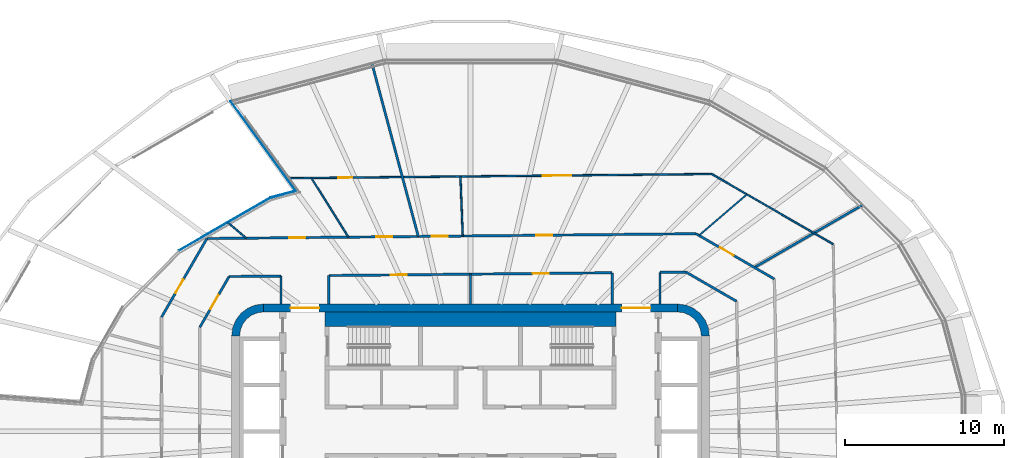
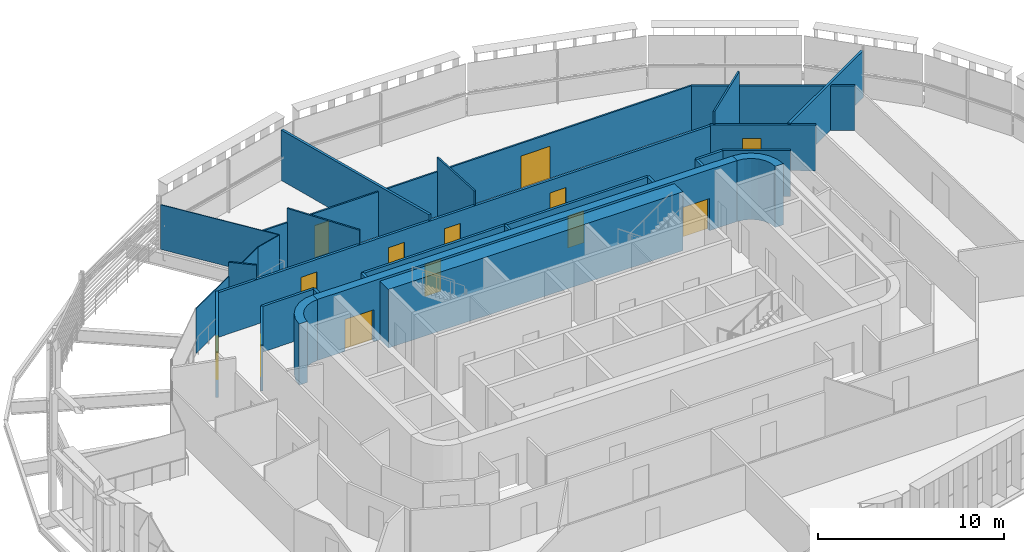
# One storey, part 14 of 22: 28 walls, 13 doors, 13 openings.
"""IFC4 building model written with IfcOpenShell, lengths in metres."""

from ifc_helpers import new_model, si_unit, direction, frame, frame_2d, origin, place, context, subcontext, project, spatial, polyline, rectangle, outline, extrude, material, layer, layer_set, type_object, element, fill, save


model = new_model("IFC4")

# Units and contexts
model_context = context("Model", 3, precision=1e-05, world=origin(), true_north=direction((0.0, 1.0)))
body_context = subcontext(model_context, "Body", "Model", "MODEL_VIEW")
ifc_project = project(units=[si_unit("LENGTHUNIT", "METRE"), si_unit("AREAUNIT", "SQUARE_METRE"), si_unit("VOLUMEUNIT", "CUBIC_METRE"), si_unit("PLANEANGLEUNIT", "RADIAN"), si_unit("MASSUNIT", "GRAM", prefix="KILO")], contexts=[model_context])

# Site, building, storey
site_placement = place(None, origin())
site = spatial("IfcSite", under=ifc_project, at=site_placement, CompositionType="ELEMENT")
building_placement = place(site_placement, origin())
building = spatial("IfcBuilding", under=site, at=building_placement, Name="Sahrelin Media Tower", CompositionType="ELEMENT")
storey_placement = place(building_placement, frame((0.0, 0.0, 177.60009765625)))
storey = spatial("IfcBuildingStorey", under=building, at=storey_placement, Name="L37", CompositionType="ELEMENT", Elevation=177.60009765625)

# Wall, openings, doors
ifc_material_1 = material(Name="Concrete C60/75", Category="concrete")
ifc_layer_1 = layer(ifc_material_1, 0.5)
ifc_layer_set_1 = layer_set([ifc_layer_1], Name="Core wall 500")
wall_type_1 = type_object("IfcWallType", Name="Core wall 500", PredefinedType="SHEAR", material=ifc_layer_set_1)
wall_1_placement = place(storey_placement, frame((-13.0, 7.75, 0.0), z_axis=(0.0, 0.0, 1.0), x_axis=(1.0, 0.0, 0.0)))
wall_1 = element("IfcWall", 1, at=wall_1_placement, inside=storey, type_object=wall_type_1, Name="Core wall N L37", PredefinedType="SHEAR", context=body_context, shape_type="SweptSolid", body=[
    extrude(rectangle(XDim=26.0, YDim=0.5, at=frame_2d((13.0, 0.0))), origin(), (0.0, 0.0, 1.0), 4.0),
])
opening_1_placement = place(wall_1_placement, frame((1.699951171875, 0.0, 0.0)))
opening_1 = element("IfcOpeningElement", 2, at=opening_1_placement, cuts=wall_1, Name="Opening L37-D16", PredefinedType="OPENING", context=body_context, shape_type="SweptSolid", body=[
    extrude(rectangle(XDim=1.800048828125, YDim=2.10009765625, at=frame_2d((0.89990234375, 1.050048828125))), frame((0.0, 0.25, 0.0), z_axis=(0.0, -1.0, 0.0), x_axis=(1.0, 0.0, 0.0)), (0.0, 0.0, 1.0), 0.5),
])
opening_2_placement = place(wall_1_placement, frame((22.5, 0.0, 0.0)))
opening_2 = element("IfcOpeningElement", 3, at=opening_2_placement, cuts=wall_1, Name="Opening L37-D17", PredefinedType="OPENING", context=body_context, shape_type="SweptSolid", body=[
    extrude(rectangle(XDim=1.800048828125, YDim=2.10009765625, at=frame_2d((0.89990234375, 1.050048828125))), frame((0.0, 0.25, 0.0), z_axis=(0.0, -1.0, 0.0), x_axis=(1.0, 0.0, 0.0)), (0.0, 0.0, 1.0), 0.5),
])
ifc_material_2 = material(Name="Steel fire door leaf", Category="steel")
door_type_1 = type_object("IfcDoorType", Name="Lobby double door 1800 x 2100 EI 60", OperationType="DOUBLE_DOOR_SINGLE_SWING", PredefinedType="DOOR", material=ifc_material_2)
door_1_placement = place(opening_1_placement, origin())
door_1 = element("IfcDoor", 4, at=door_1_placement, inside=storey, type_object=door_type_1, Name="Lobby door", OperationType="DOUBLE_DOOR_SINGLE_SWING", OverallHeight=2.10009765625, OverallWidth=1.800048828125, PredefinedType="DOOR", context=body_context, shape_type="SweptSolid", body=[
    extrude(rectangle(XDim=1.800048828125, YDim=2.10009765625, at=frame_2d((0.89990234375, 1.050048828125))), frame((0.0, 0.02490234375, 0.0), z_axis=(0.0, -1.0, 0.0), x_axis=(1.0, 0.0, 0.0)), (0.0, 0.0, 1.0), 0.050048828125),
])
fill(opening_1, door_1)
door_2_placement = place(opening_2_placement, origin())
door_2 = element("IfcDoor", 5, at=door_2_placement, inside=storey, type_object=door_type_1, Name="Lobby door", OperationType="DOUBLE_DOOR_SINGLE_SWING", OverallHeight=2.10009765625, OverallWidth=1.800048828125, PredefinedType="DOOR", context=body_context, shape_type="SweptSolid", body=[
    extrude(rectangle(XDim=1.800048828125, YDim=2.10009765625, at=frame_2d((0.89990234375, 1.050048828125))), frame((0.0, 0.02490234375, 0.0), z_axis=(0.0, -1.0, 0.0), x_axis=(1.0, 0.0, 0.0)), (0.0, 0.0, 1.0), 0.050048828125),
])
fill(opening_2, door_2)

# Walls
placement = place(storey_placement, origin())
element("IfcWall", 6, at=placement, inside=storey, type_object=wall_type_1, Name="Core wall corner NE L37", PredefinedType="SHEAR", context=body_context, shape_type="SweptSolid", body=[
    extrude(outline(polyline([(13.0, 8.0), (13.0, 7.49560546875), (13.38720703125, 7.44482421875), (13.747802734375, 7.29541015625), (14.0576171875, 7.0576171875), (14.29541015625, 6.747802734375), (14.44482421875, 6.38720703125), (14.49560546875, 6.0), (15.0, 6.0), (14.931884765625, 6.517578125), (14.732177734375, 7.0), (14.414306640625, 7.414306640625), (14.0, 7.732177734375), (13.517578125, 7.931884765625), (13.0, 8.0)])), origin(), (0.0, 0.0, 1.0), 4.0),
])
element("IfcWall", 7, at=placement, inside=storey, type_object=wall_type_1, Name="Core wall corner NW L37", PredefinedType="SHEAR", context=body_context, shape_type="SweptSolid", body=[
    extrude(outline(polyline([(-15.0, 6.0), (-14.49560546875, 6.0), (-14.44482421875, 6.38720703125), (-14.29541015625, 6.747802734375), (-14.0576171875, 7.0576171875), (-13.747802734375, 7.29541015625), (-13.38720703125, 7.44482421875), (-13.0, 7.49560546875), (-13.0, 8.0), (-13.517578125, 7.931884765625), (-14.0, 7.732177734375), (-14.414306640625, 7.414306640625), (-14.732177734375, 7.0), (-14.931884765625, 6.517578125), (-15.0, 6.0)])), origin(), (0.0, 0.0, 1.0), 4.0),
])
ifc_material_3 = material(Name="Fire-rated gypsum board partition")
ifc_layer_2 = layer(ifc_material_3, 0.14990234375)
ifc_layer_set_2 = layer_set([ifc_layer_2], Name="Fire-rated partition 150")
wall_type_2 = type_object("IfcWallType", Name="Fire-rated partition 150", PredefinedType="PARTITIONING", material=ifc_layer_set_2)
wall_4_placement = place(storey_placement, frame((-6.19189453125, 23.10791015625, 0.0), z_axis=(0.0, 0.0, 1.0), x_axis=(0.258761752607, -0.965941175946, 0.0)))
element("IfcWall", 8, at=wall_4_placement, inside=storey, type_object=wall_type_2, Name="Wall", PredefinedType="PARTITIONING", context=body_context, shape_type="SweptSolid", body=[
    extrude(rectangle(XDim=11.252197265625, YDim=0.14990234375, at=frame_2d((5.6259765625, 0.0))), origin(), (0.0, 0.0, 1.0), 3.301513671875),
])
wall_5_placement = place(storey_placement, frame((13.527099609375, 10.0048828125, 0.0), z_axis=(0.0, 0.0, 1.0), x_axis=(0.865856755607, -0.50029199351, 0.0)))
element("IfcWall", 9, at=wall_5_placement, inside=storey, type_object=wall_type_2, Name="Wall", PredefinedType="PARTITIONING", context=body_context, shape_type="SweptSolid", body=[
    extrude(rectangle(XDim=3.673095703125, YDim=0.14990234375, at=frame_2d((1.83642578125, 0.0))), origin(), (0.0, 0.0, 1.0), 2.994873046875),
])

# Wall, opening, door
wall_6_placement = place(storey_placement, frame((14.158935546875, 12.412109375, 0.0), z_axis=(0.0, 0.0, 1.0), x_axis=(0.865837777906, -0.500324836831, 0.0)))
wall_6 = element("IfcWall", 10, at=wall_6_placement, inside=storey, type_object=wall_type_2, Name="Wall", PredefinedType="PARTITIONING", context=body_context, shape_type="SweptSolid", body=[
    extrude(rectangle(XDim=5.682861328125, YDim=0.14990234375, at=frame_2d((2.84130859375, 0.0))), origin(), (0.0, 0.0, 1.0), 2.994873046875),
])
opening_3_placement = place(wall_6_placement, frame((1.7333984375, 0.0, 0.0)))
opening_3 = element("IfcOpeningElement", 11, at=opening_3_placement, cuts=wall_6, Name="Opening L37-D35", PredefinedType="OPENING", context=body_context, shape_type="SweptSolid", body=[
    extrude(rectangle(XDim=1.0, YDim=2.10009765625, at=frame_2d((0.5, 1.050048828125))), frame((0.0, 0.074951171875, 0.0), z_axis=(0.0, -1.0, 0.0), x_axis=(1.0, 0.0, 0.0)), (0.0, 0.0, 1.0), 0.14990234375),
])
door_type_2 = type_object("IfcDoorType", Name="Fire door 1000 x 2100 EI 60", OperationType="NOTDEFINED", PredefinedType="DOOR", material=ifc_material_2)
door_3_placement = place(opening_3_placement, origin())
door_3 = element("IfcDoor", 12, at=door_3_placement, inside=storey, type_object=door_type_2, Name="Fire door", OperationType="SINGLE_SWING_RIGHT", OverallHeight=2.10009765625, OverallWidth=1.0, PredefinedType="DOOR", context=body_context, shape_type="SweptSolid", body=[
    extrude(rectangle(XDim=1.0, YDim=2.10009765625, at=frame_2d((0.5, 1.050048828125))), frame((0.0, 0.02490234375, 0.0), z_axis=(0.0, -1.0, 0.0), x_axis=(1.0, 0.0, 0.0)), (0.0, 0.0, 1.0), 0.050048828125),
])
fill(opening_3, door_3)

# Wall
wall_7_placement = place(storey_placement, frame((-15.160888671875, 9.720947265625, 0.0), z_axis=(0.0, 0.0, 1.0), x_axis=(0.999950429518, 0.009956832157, 0.0)))
element("IfcWall", 13, at=wall_7_placement, inside=storey, type_object=wall_type_2, Name="Wall", PredefinedType="PARTITIONING", context=body_context, shape_type="SweptSolid", body=[
    extrude(rectangle(XDim=3.26123046875, YDim=0.14990234375, at=frame_2d((1.630615234375, 0.0))), origin(), (0.0, 0.0, 1.0), 2.994873046875),
])

# Wall, openings, doors
wall_8_placement = place(storey_placement, frame((-8.89990234375, 9.782958984375, 0.0), z_axis=(0.0, 0.0, 1.0), x_axis=(0.999950969978, 0.009902405776, 0.0)))
wall_8 = element("IfcWall", 14, at=wall_8_placement, inside=storey, type_object=wall_type_2, Name="Wall", PredefinedType="PARTITIONING", context=body_context, shape_type="SweptSolid", body=[
    extrude(rectangle(XDim=17.80078125, YDim=0.14990234375, at=frame_2d((8.900390625, 0.0))), origin(), (0.0, 0.0, 1.0), 2.927001953125),
])
opening_4_placement = place(wall_8_placement, frame((12.800537109375, 0.0, 0.0)))
opening_4 = element("IfcOpeningElement", 15, at=opening_4_placement, cuts=wall_8, Name="Opening L37-D25", PredefinedType="OPENING", context=body_context, shape_type="SweptSolid", body=[
    extrude(rectangle(XDim=1.0, YDim=2.10009765625, at=frame_2d((0.5, 1.050048828125))), frame((0.0, 0.074951171875, 0.0), z_axis=(0.0, -1.0, 0.0), x_axis=(1.0, 0.0, 0.0)), (0.0, 0.0, 1.0), 0.14990234375),
])
opening_5_placement = place(wall_8_placement, frame((3.899658203125, 0.0, 0.0)))
opening_5 = element("IfcOpeningElement", 16, at=opening_5_placement, cuts=wall_8, Name="Opening L37-D26", PredefinedType="OPENING", context=body_context, shape_type="SweptSolid", body=[
    extrude(rectangle(XDim=1.0, YDim=2.10009765625, at=frame_2d((0.5, 1.050048828125))), frame((0.0, 0.074951171875, 0.0), z_axis=(0.0, -1.0, 0.0), x_axis=(1.0, 0.0, 0.0)), (0.0, 0.0, 1.0), 0.14990234375),
])
door_4_placement = place(opening_4_placement, origin())
door_4 = element("IfcDoor", 17, at=door_4_placement, inside=storey, type_object=door_type_2, Name="Fire door", OperationType="SINGLE_SWING_LEFT", OverallHeight=2.10009765625, OverallWidth=1.0, PredefinedType="DOOR", context=body_context, shape_type="SweptSolid", body=[
    extrude(rectangle(XDim=1.0, YDim=2.10009765625, at=frame_2d((0.5, 1.050048828125))), frame((0.0, 0.02490234375, 0.0), z_axis=(0.0, -1.0, 0.0), x_axis=(1.0, 0.0, 0.0)), (0.0, 0.0, 1.0), 0.050048828125),
])
fill(opening_4, door_4)
door_5_placement = place(opening_5_placement, origin())
door_5 = element("IfcDoor", 18, at=door_5_placement, inside=storey, type_object=door_type_2, Name="Fire door", OperationType="SINGLE_SWING_RIGHT", OverallHeight=2.10009765625, OverallWidth=1.0, PredefinedType="DOOR", context=body_context, shape_type="SweptSolid", body=[
    extrude(rectangle(XDim=1.0, YDim=2.10009765625, at=frame_2d((0.5, 1.050048828125))), frame((0.0, 0.02490234375, 0.0), z_axis=(0.0, -1.0, 0.0), x_axis=(1.0, 0.0, 0.0)), (0.0, 0.0, 1.0), 0.050048828125),
])
fill(opening_5, door_5)

# Wall
wall_9_placement = place(storey_placement, frame((11.89990234375, 9.979736328125, 0.0), z_axis=(0.0, 0.0, 1.0), x_axis=(0.999950974094, 0.009901990141, 0.0)))
element("IfcWall", 19, at=wall_9_placement, inside=storey, type_object=wall_type_2, Name="Wall", PredefinedType="PARTITIONING", context=body_context, shape_type="SweptSolid", body=[
    extrude(rectangle(XDim=1.627197265625, YDim=0.14990234375, at=frame_2d((0.8134765625, 0.0))), origin(), (0.0, 0.0, 1.0), 2.994873046875),
])

# Wall, openings, doors
wall_10_placement = place(storey_placement, frame((-16.554931640625, 12.10693359375, 0.0), z_axis=(0.0, 0.0, 1.0), x_axis=(0.999951034758, 0.009895862121, 0.0)))
wall_10 = element("IfcWall", 20, at=wall_10_placement, inside=storey, type_object=wall_type_2, Name="Wall", PredefinedType="PARTITIONING", context=body_context, shape_type="SweptSolid", body=[
    extrude(rectangle(XDim=30.71533203125, YDim=0.14990234375, at=frame_2d((15.357666015625, 0.0))), origin(), (0.0, 0.0, 1.0), 2.927001953125),
])
opening_6_placement = place(wall_10_placement, frame((20.689208984375, 0.0, 0.0)))
opening_6 = element("IfcOpeningElement", 21, at=opening_6_placement, cuts=wall_10, Name="Opening L37-D36", PredefinedType="OPENING", context=body_context, shape_type="SweptSolid", body=[
    extrude(rectangle(XDim=1.0, YDim=2.10009765625, at=frame_2d((0.5, 1.050048828125))), frame((0.0, 0.074951171875, 0.0), z_axis=(0.0, -1.0, 0.0), x_axis=(1.0, 0.0, 0.0)), (0.0, 0.0, 1.0), 0.14990234375),
])
opening_7_placement = place(wall_10_placement, frame((14.114501953125, 0.0, 0.0)))
opening_7 = element("IfcOpeningElement", 22, at=opening_7_placement, cuts=wall_10, Name="Opening L37-D37", PredefinedType="OPENING", context=body_context, shape_type="SweptSolid", body=[
    extrude(rectangle(XDim=1.0, YDim=2.10009765625, at=frame_2d((0.5, 1.050048828125))), frame((0.0, 0.074951171875, 0.0), z_axis=(0.0, -1.0, 0.0), x_axis=(1.0, 0.0, 0.0)), (0.0, 0.0, 1.0), 0.14990234375),
])
opening_8_placement = place(wall_10_placement, frame((10.6376953125, 0.0, 0.0)))
opening_8 = element("IfcOpeningElement", 23, at=opening_8_placement, cuts=wall_10, Name="Opening L37-D39", PredefinedType="OPENING", context=body_context, shape_type="SweptSolid", body=[
    extrude(rectangle(XDim=1.0, YDim=2.10009765625, at=frame_2d((0.5, 1.050048828125))), frame((0.0, 0.074951171875, 0.0), z_axis=(0.0, -1.0, 0.0), x_axis=(1.0, 0.0, 0.0)), (0.0, 0.0, 1.0), 0.14990234375),
])
opening_9_placement = place(wall_10_placement, frame((5.17578125, 0.0, 0.0)))
opening_9 = element("IfcOpeningElement", 24, at=opening_9_placement, cuts=wall_10, Name="Opening L37-D40", PredefinedType="OPENING", context=body_context, shape_type="SweptSolid", body=[
    extrude(rectangle(XDim=1.0, YDim=2.10009765625, at=frame_2d((0.5, 1.050048828125))), frame((0.0, 0.074951171875, 0.0), z_axis=(0.0, -1.0, 0.0), x_axis=(1.0, 0.0, 0.0)), (0.0, 0.0, 1.0), 0.14990234375),
])
door_6_placement = place(opening_6_placement, origin())
door_6 = element("IfcDoor", 25, at=door_6_placement, inside=storey, type_object=door_type_2, Name="Fire door", OperationType="SINGLE_SWING_LEFT", OverallHeight=2.10009765625, OverallWidth=1.0, PredefinedType="DOOR", context=body_context, shape_type="SweptSolid", body=[
    extrude(rectangle(XDim=1.0, YDim=2.10009765625, at=frame_2d((0.5, 1.050048828125))), frame((0.0, 0.02490234375, 0.0), z_axis=(0.0, -1.0, 0.0), x_axis=(1.0, 0.0, 0.0)), (0.0, 0.0, 1.0), 0.050048828125),
])
fill(opening_6, door_6)
door_7_placement = place(opening_7_placement, origin())
door_7 = element("IfcDoor", 26, at=door_7_placement, inside=storey, type_object=door_type_2, Name="Fire door", OperationType="SINGLE_SWING_RIGHT", OverallHeight=2.10009765625, OverallWidth=1.0, PredefinedType="DOOR", context=body_context, shape_type="SweptSolid", body=[
    extrude(rectangle(XDim=1.0, YDim=2.10009765625, at=frame_2d((0.5, 1.050048828125))), frame((0.0, 0.02490234375, 0.0), z_axis=(0.0, -1.0, 0.0), x_axis=(1.0, 0.0, 0.0)), (0.0, 0.0, 1.0), 0.050048828125),
])
fill(opening_7, door_7)
door_8_placement = place(opening_8_placement, origin())
door_8 = element("IfcDoor", 27, at=door_8_placement, inside=storey, type_object=door_type_2, Name="Fire door", OperationType="SINGLE_SWING_LEFT", OverallHeight=2.10009765625, OverallWidth=1.0, PredefinedType="DOOR", context=body_context, shape_type="SweptSolid", body=[
    extrude(rectangle(XDim=1.0, YDim=2.10009765625, at=frame_2d((0.5, 1.050048828125))), frame((0.0, 0.02490234375, 0.0), z_axis=(0.0, -1.0, 0.0), x_axis=(1.0, 0.0, 0.0)), (0.0, 0.0, 1.0), 0.050048828125),
])
fill(opening_8, door_8)
door_9_placement = place(opening_9_placement, origin())
door_9 = element("IfcDoor", 28, at=door_9_placement, inside=storey, type_object=door_type_2, Name="Fire door", OperationType="SINGLE_SWING_LEFT", OverallHeight=2.10009765625, OverallWidth=1.0, PredefinedType="DOOR", context=body_context, shape_type="SweptSolid", body=[
    extrude(rectangle(XDim=1.0, YDim=2.10009765625, at=frame_2d((0.5, 1.050048828125))), frame((0.0, 0.02490234375, 0.0), z_axis=(0.0, -1.0, 0.0), x_axis=(1.0, 0.0, 0.0)), (0.0, 0.0, 1.0), 0.050048828125),
])
fill(opening_9, door_9)

# Wall
wall_11_placement = place(storey_placement, frame((17.827880859375, 10.29296875, 0.0), z_axis=(0.0, 0.0, 1.0), x_axis=(0.866042869649, 0.499969747014, 0.0)))
element("IfcWall", 29, at=wall_11_placement, inside=storey, type_object=wall_type_2, Name="Wall", PredefinedType="PARTITIONING", context=body_context, shape_type="SweptSolid", body=[
    extrude(rectangle(XDim=7.8623046875, YDim=0.14990234375, at=frame_2d((3.93115234375, 0.0))), origin(), (0.0, 0.0, 1.0), 3.075927734375),
])

# Wall, opening, door
wall_12_placement = place(storey_placement, frame((-17.0, 6.535888671875, 0.0), z_axis=(0.0, 0.0, 1.0), x_axis=(0.499965700209, 0.866045205872, 0.0)))
wall_12 = element("IfcWall", 30, at=wall_12_placement, inside=storey, type_object=wall_type_2, Name="Wall", PredefinedType="PARTITIONING", context=body_context, shape_type="SweptSolid", body=[
    extrude(rectangle(XDim=3.677978515625, YDim=0.14990234375, at=frame_2d((1.8388671875, 0.0))), origin(), (0.0, 0.0, 1.0), 2.994873046875),
])
opening_10_placement = place(wall_12_placement, frame((1.338134765625, 0.0, 0.0)))
opening_10 = element("IfcOpeningElement", 31, at=opening_10_placement, cuts=wall_12, Name="Opening L37-D27", PredefinedType="OPENING", context=body_context, shape_type="SweptSolid", body=[
    extrude(rectangle(XDim=1.0, YDim=2.10009765625, at=frame_2d((0.5, 1.050048828125))), frame((0.0, 0.074951171875, 0.0), z_axis=(0.0, -1.0, 0.0), x_axis=(1.0, 0.0, 0.0)), (0.0, 0.0, 1.0), 0.14990234375),
])
door_10_placement = place(opening_10_placement, origin())
door_10 = element("IfcDoor", 32, at=door_10_placement, inside=storey, type_object=door_type_2, Name="Fire door", OperationType="SINGLE_SWING_RIGHT", OverallHeight=2.10009765625, OverallWidth=1.0, PredefinedType="DOOR", context=body_context, shape_type="SweptSolid", body=[
    extrude(rectangle(XDim=1.0, YDim=2.10009765625, at=frame_2d((0.5, 1.050048828125))), frame((0.0, 0.02490234375, 0.0), z_axis=(0.0, -1.0, 0.0), x_axis=(1.0, 0.0, 0.0)), (0.0, 0.0, 1.0), 0.050048828125),
])
fill(opening_10, door_10)

wall_13_placement = place(storey_placement, frame((-19.39990234375, 7.178955078125, 0.0), z_axis=(0.0, 0.0, 1.0), x_axis=(0.499973768087, 0.866040548257, 0.0)))
wall_13 = element("IfcWall", 33, at=wall_13_placement, inside=storey, type_object=wall_type_2, Name="Wall", PredefinedType="PARTITIONING", context=body_context, shape_type="SweptSolid", body=[
    extrude(rectangle(XDim=5.690185546875, YDim=0.14990234375, at=frame_2d((2.84521484375, 0.0))), origin(), (0.0, 0.0, 1.0), 2.994873046875),
])
opening_11_placement = place(wall_13_placement, frame((1.729736328125, 0.0, 0.0)))
opening_11 = element("IfcOpeningElement", 34, at=opening_11_placement, cuts=wall_13, Name="Opening L37-D41", PredefinedType="OPENING", context=body_context, shape_type="SweptSolid", body=[
    extrude(rectangle(XDim=1.0, YDim=2.10009765625, at=frame_2d((0.5, 1.050048828125))), frame((0.0, 0.074951171875, 0.0), z_axis=(0.0, -1.0, 0.0), x_axis=(1.0, 0.0, 0.0)), (0.0, 0.0, 1.0), 0.14990234375),
])
door_11_placement = place(opening_11_placement, origin())
door_11 = element("IfcDoor", 35, at=door_11_placement, inside=storey, type_object=door_type_2, Name="Fire door", OperationType="SINGLE_SWING_LEFT", OverallHeight=2.10009765625, OverallWidth=1.0, PredefinedType="DOOR", context=body_context, shape_type="SweptSolid", body=[
    extrude(rectangle(XDim=1.0, YDim=2.10009765625, at=frame_2d((0.5, 1.050048828125))), frame((0.0, 0.02490234375, 0.0), z_axis=(0.0, -1.0, 0.0), x_axis=(1.0, 0.0, 0.0)), (0.0, 0.0, 1.0), 0.050048828125),
])
fill(opening_11, door_11)

# Walls
wall_14_placement = place(storey_placement, frame((11.89990234375, 8.0, 0.0), z_axis=(0.0, 0.0, 1.0), x_axis=(0.0, 1.0, 0.0)))
element("IfcWall", 36, at=wall_14_placement, inside=storey, type_object=wall_type_2, Name="Wall", PredefinedType="PARTITIONING", context=body_context, shape_type="SweptSolid", body=[
    extrude(rectangle(XDim=1.97802734375, YDim=0.14990234375, at=frame_2d((0.989013671875, 0.0))), origin(), (0.0, 0.0, 1.0), 2.994873046875),
])
wall_15_placement = place(storey_placement, frame((8.89990234375, 8.0, 0.0), z_axis=(0.0, 0.0, 1.0), x_axis=(0.0, 1.0, 0.0)))
element("IfcWall", 37, at=wall_15_placement, inside=storey, type_object=wall_type_2, Name="Wall", PredefinedType="PARTITIONING", context=body_context, shape_type="SweptSolid", body=[
    extrude(rectangle(XDim=1.958984375, YDim=0.14990234375, at=frame_2d((0.9794921875, 0.0))), origin(), (0.0, 0.0, 1.0), 2.927001953125),
])
wall_16_placement = place(storey_placement, frame((0.0, 8.0, 0.0), z_axis=(0.0, 0.0, 1.0), x_axis=(0.0, 1.0, 0.0)))
element("IfcWall", 38, at=wall_16_placement, inside=storey, type_object=wall_type_2, Name="Wall", PredefinedType="PARTITIONING", context=body_context, shape_type="SweptSolid", body=[
    extrude(rectangle(XDim=1.87109375, YDim=0.14990234375, at=frame_2d((0.935546875, 0.0))), origin(), (0.0, 0.0, 1.0), 2.927001953125),
])
wall_17_placement = place(storey_placement, frame((-8.89990234375, 8.0, 0.0), z_axis=(0.0, 0.0, 1.0), x_axis=(0.0, 1.0, 0.0)))
element("IfcWall", 39, at=wall_17_placement, inside=storey, type_object=wall_type_2, Name="Wall", PredefinedType="PARTITIONING", context=body_context, shape_type="SweptSolid", body=[
    extrude(rectangle(XDim=1.782958984375, YDim=0.14990234375, at=frame_2d((0.8916015625, 0.0))), origin(), (0.0, 0.0, 1.0), 2.927001953125),
])
wall_18_placement = place(storey_placement, frame((-11.89990234375, 8.0, 0.0), z_axis=(0.0, 0.0, 1.0), x_axis=(0.0, 1.0, 0.0)))
element("IfcWall", 40, at=wall_18_placement, inside=storey, type_object=wall_type_2, Name="Wall", PredefinedType="PARTITIONING", context=body_context, shape_type="SweptSolid", body=[
    extrude(rectangle(XDim=1.7529296875, YDim=0.14990234375, at=frame_2d((0.87646484375, 0.0))), origin(), (0.0, 0.0, 1.0), 2.994873046875),
])
ifc_material_4 = material(Name="Clear glass", Category="glass")
ifc_layer_3 = layer(ifc_material_4, 0.050048828125)
ifc_layer_set_3 = layer_set([ifc_layer_3], Name="Glazed partition 50")
wall_type_3 = type_object("IfcWallType", Name="Glazed partition 50", PredefinedType="PARTITIONING", material=ifc_layer_set_3)
wall_19_placement = place(storey_placement, frame((-15.068359375, 20.729736328125, 0.0), z_axis=(0.0, 0.0, 1.0), x_axis=(0.587950705029, -0.808896760073, 0.0)))
element("IfcWall", 41, at=wall_19_placement, inside=storey, type_object=wall_type_3, Name="Wall", PredefinedType="PARTITIONING", context=body_context, shape_type="SweptSolid", body=[
    extrude(rectangle(XDim=6.963623046875, YDim=0.050048828125, at=frame_2d((3.48193359375, 0.0))), origin(), (0.0, 0.0, 1.0), 2.927001953125),
])
wall_20_placement = place(storey_placement, frame((-12.55908203125, 14.673095703125, 0.0), z_axis=(0.0, 0.0, 1.0), x_axis=(0.966056881693, 0.25832944341, 0.0)))
element("IfcWall", 42, at=wall_20_placement, inside=storey, type_object=wall_type_3, Name="Wall", PredefinedType="PARTITIONING", context=body_context, shape_type="SweptSolid", body=[
    extrude(rectangle(XDim=1.640625, YDim=0.050048828125, at=frame_2d((0.8203125, 0.0))), origin(), (0.0, 0.0, 1.0), 2.927001953125),
])
wall_21_placement = place(storey_placement, frame((-18.322998046875, 11.344970703125, 0.0), z_axis=(0.0, 0.0, 1.0), x_axis=(0.866004159061, 0.500036795134, 0.0)))
element("IfcWall", 43, at=wall_21_placement, inside=storey, type_object=wall_type_3, Name="Wall", PredefinedType="PARTITIONING", context=body_context, shape_type="SweptSolid", body=[
    extrude(rectangle(XDim=6.65576171875, YDim=0.050048828125, at=frame_2d((3.327880859375, 0.0))), origin(), (0.0, 0.0, 1.0), 2.927001953125),
])
ifc_material_5 = material(Name="Gypsum board partition")
ifc_layer_4 = layer(ifc_material_5, 0.10009765625)
ifc_layer_set_4 = layer_set([ifc_layer_4], Name="Partition 100")
wall_type_4 = type_object("IfcWallType", Name="Partition 100", PredefinedType="PARTITIONING", material=ifc_layer_set_4)
wall_22_placement = place(storey_placement, frame((-0.635009765625, 16.0048828125, 0.0), z_axis=(0.0, 0.0, 1.0), x_axis=(0.039551001772, -0.999217553018, 0.0)))
element("IfcWall", 44, at=wall_22_placement, inside=storey, type_object=wall_type_4, Name="Wall", PredefinedType="PARTITIONING", context=body_context, shape_type="SweptSolid", body=[
    extrude(rectangle(XDim=3.74072265625, YDim=0.10009765625, at=frame_2d((1.870361328125, 0.0))), origin(), (0.0, 0.0, 1.0), 3.849853515625),
])
wall_23_placement = place(storey_placement, frame((-9.9990234375, 15.912109375, 0.0), z_axis=(0.0, 0.0, 1.0), x_axis=(0.532091818794, -0.846686657727, 0.0)))
element("IfcWall", 45, at=wall_23_placement, inside=storey, type_object=wall_type_4, Name="Wall", PredefinedType="PARTITIONING", context=body_context, shape_type="SweptSolid", body=[
    extrude(rectangle(XDim=4.39013671875, YDim=0.10009765625, at=frame_2d((2.195068359375, 0.0))), origin(), (0.0, 0.0, 1.0), 3.849853515625),
])
wall_24_placement = place(storey_placement, frame((-15.2470703125, 13.12109375, 0.0), z_axis=(0.0, 0.0, 1.0), x_axis=(0.757903577164, -0.65236658998, 0.0)))
element("IfcWall", 46, at=wall_24_placement, inside=storey, type_object=wall_type_4, Name="Wall", PredefinedType="PARTITIONING", context=body_context, shape_type="SweptSolid", body=[
    extrude(rectangle(XDim=1.517578125, YDim=0.10009765625, at=frame_2d((0.7587890625, 0.0))), origin(), (0.0, 0.0, 1.0), 3.849853515625),
])
wall_25_placement = place(storey_placement, frame((15.14404296875, 16.162109375, 0.0), z_axis=(0.0, 0.0, 1.0), x_axis=(0.865929062236, -0.500166831342, 0.0)))
element("IfcWall", 47, at=wall_25_placement, inside=storey, type_object=wall_type_4, Name="Wall", PredefinedType="PARTITIONING", context=body_context, shape_type="SweptSolid", body=[
    extrude(rectangle(XDim=8.8134765625, YDim=0.10009765625, at=frame_2d((4.40673828125, 0.0))), origin(), (0.0, 0.0, 1.0), 2.927001953125),
])

# Wall, openings, doors
wall_26_placement = place(storey_placement, frame((-11.554931640625, 15.89697265625, 0.0), z_axis=(0.0, 0.0, 1.0), x_axis=(0.999951328792, 0.009866105979, 0.0)))
wall_26 = element("IfcWall", 48, at=wall_26_placement, inside=storey, type_object=wall_type_4, Name="Wall", PredefinedType="PARTITIONING", context=body_context, shape_type="SweptSolid", body=[
    extrude(rectangle(XDim=26.7001953125, YDim=0.10009765625, at=frame_2d((13.35009765625, 0.0))), origin(), (0.0, 0.0, 1.0), 2.927001953125),
])
opening_12_placement = place(wall_26_placement, frame((16.089599609375, 0.0, 0.0)))
opening_12 = element("IfcOpeningElement", 49, at=opening_12_placement, cuts=wall_26, Name="Opening L37-D38", PredefinedType="OPENING", context=body_context, shape_type="SweptSolid", body=[
    extrude(rectangle(XDim=1.800048828125, YDim=2.10009765625, at=frame_2d((0.89990234375, 1.050048828125))), frame((0.0, 0.050048828125, 0.0), z_axis=(0.0, -1.0, 0.0), x_axis=(1.0, 0.0, 0.0)), (0.0, 0.0, 1.0), 0.10009765625),
])
opening_13_placement = place(wall_26_placement, frame((3.239990234375, 0.0, 0.0)))
opening_13 = element("IfcOpeningElement", 50, at=opening_13_placement, cuts=wall_26, Name="Opening L37-D42", PredefinedType="OPENING", context=body_context, shape_type="SweptSolid", body=[
    extrude(rectangle(XDim=0.89990234375, YDim=2.10009765625, at=frame_2d((0.449951171875, 1.050048828125))), frame((0.0, 0.050048828125, 0.0), z_axis=(0.0, -1.0, 0.0), x_axis=(1.0, 0.0, 0.0)), (0.0, 0.0, 1.0), 0.10009765625),
])
ifc_material_6 = material(Name="Timber door leaf", Category="wood")
door_type_3 = type_object("IfcDoorType", Name="Double door 1800 x 2100", OperationType="DOUBLE_DOOR_SINGLE_SWING", PredefinedType="DOOR", material=ifc_material_6)
door_12_placement = place(opening_12_placement, origin())
door_12 = element("IfcDoor", 51, at=door_12_placement, inside=storey, type_object=door_type_3, Name="Double door", OperationType="DOUBLE_DOOR_SINGLE_SWING", OverallHeight=2.10009765625, OverallWidth=1.800048828125, PredefinedType="DOOR", context=body_context, shape_type="SweptSolid", body=[
    extrude(rectangle(XDim=1.800048828125, YDim=2.10009765625, at=frame_2d((0.89990234375, 1.050048828125))), frame((0.0, 0.02490234375, 0.0), z_axis=(0.0, -1.0, 0.0), x_axis=(1.0, 0.0, 0.0)), (0.0, 0.0, 1.0), 0.050048828125),
])
fill(opening_12, door_12)
door_type_4 = type_object("IfcDoorType", Name="Single door 900 x 2100", OperationType="NOTDEFINED", PredefinedType="DOOR", material=ifc_material_6)
door_13_placement = place(opening_13_placement, origin())
door_13 = element("IfcDoor", 52, at=door_13_placement, inside=storey, type_object=door_type_4, Name="Single door", OperationType="SINGLE_SWING_RIGHT", OverallHeight=2.10009765625, OverallWidth=0.89990234375, PredefinedType="DOOR", context=body_context, shape_type="SweptSolid", body=[
    extrude(rectangle(XDim=0.89990234375, YDim=2.10009765625, at=frame_2d((0.449951171875, 1.050048828125))), frame((0.0, 0.02490234375, 0.0), z_axis=(0.0, -1.0, 0.0), x_axis=(1.0, 0.0, 0.0)), (0.0, 0.0, 1.0), 0.050048828125),
])
fill(opening_13, door_13)

# Walls
wall_27_placement = place(storey_placement, frame((14.34912109375, 12.302001953125, 0.0), z_axis=(0.0, 0.0, 1.0), x_axis=(0.759100106755, 0.650973907253, 0.0)))
element("IfcWall", 53, at=wall_27_placement, inside=storey, type_object=wall_type_4, Name="Wall", PredefinedType="PARTITIONING", context=body_context, shape_type="SweptSolid", body=[
    extrude(rectangle(XDim=3.96484375, YDim=0.10009765625, at=frame_2d((1.982421875, 0.0))), origin(), (0.0, 0.0, 1.0), 3.849853515625),
])
ifc_layer_5 = layer(ifc_material_1, 0.89990234375)
ifc_layer_set_5 = layer_set([ifc_layer_5], Name="Stair enclosure wall 900")
wall_type_5 = type_object("IfcWallType", Name="Stair enclosure wall 900", PredefinedType="SOLIDWALL", material=ifc_layer_set_5)
wall_28_placement = place(storey_placement, frame((-9.125, 7.050048828125, 0.0), z_axis=(0.0, 0.0, 1.0), x_axis=(1.0, 0.0, 0.0)))
element("IfcWall", 54, at=wall_28_placement, inside=storey, type_object=wall_type_5, Name="Stair enclosure wall", PredefinedType="SOLIDWALL", context=body_context, shape_type="SweptSolid", body=[
    extrude(rectangle(XDim=18.25, YDim=0.89990234375, at=frame_2d((9.125, 0.0))), origin(), (0.0, 0.0, 1.0), 3.849853515625),
])

save(model, "model.ifc")
